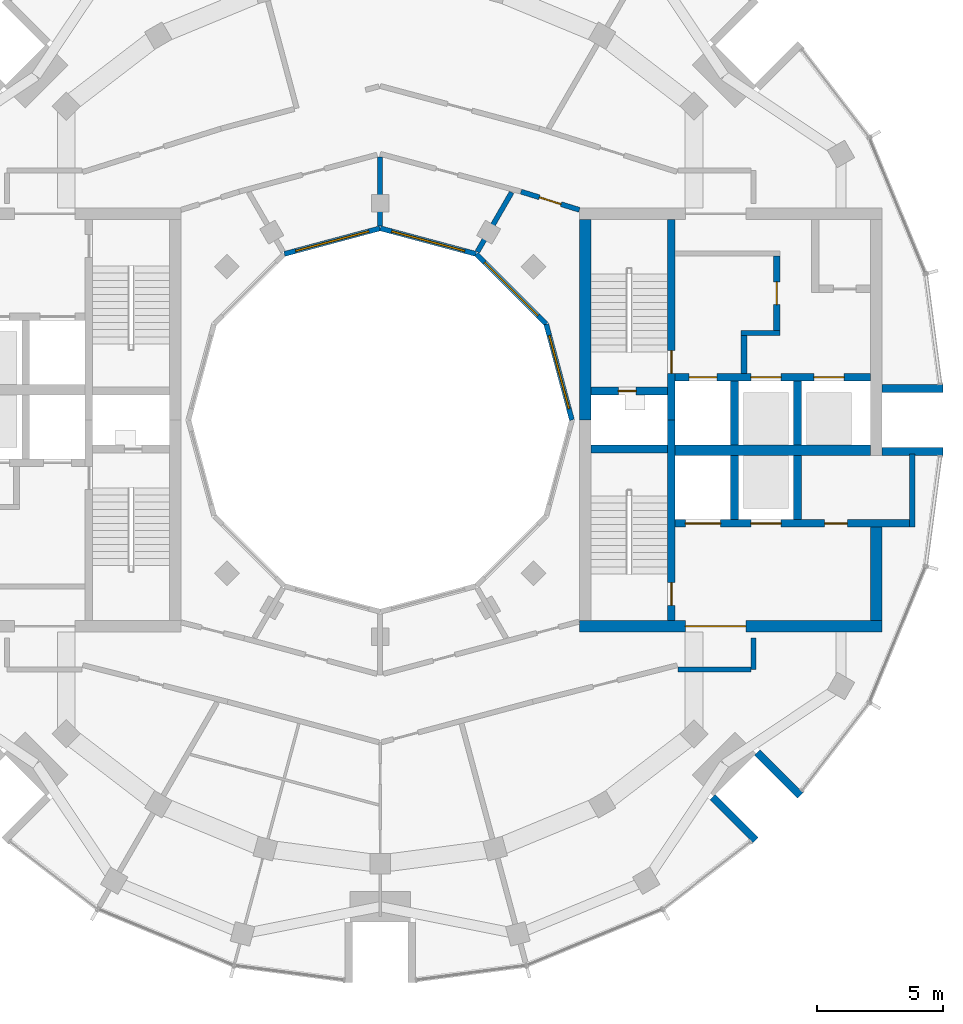
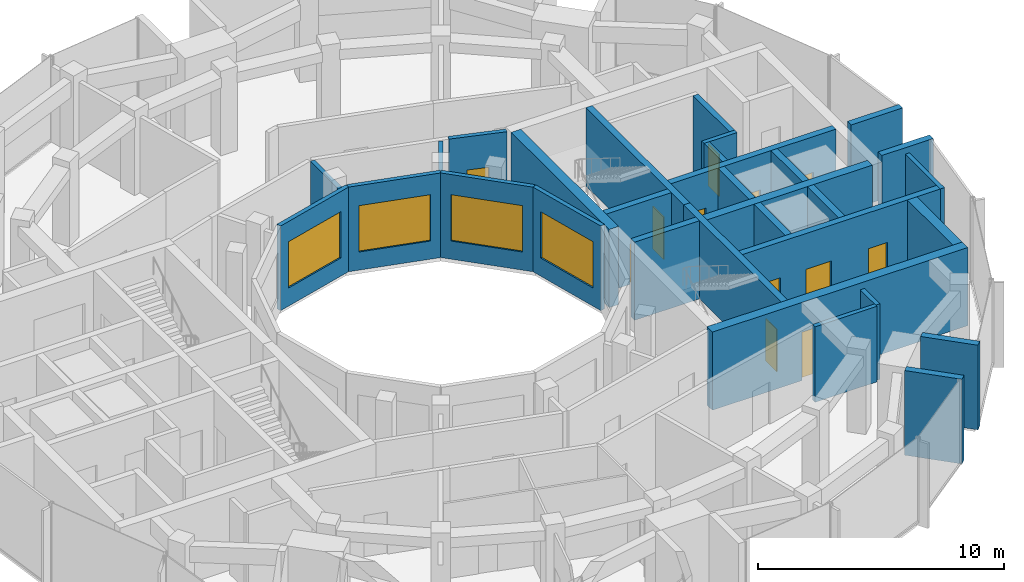
# One storey, part 10 of 13: 31 walls, 12 doors, 4 windows, 16 openings.
"""IFC4 building model written with IfcOpenShell, lengths in metres."""

from ifc_helpers import new_model, si_unit, direction, frame, frame_2d, origin, place, context, subcontext, project, spatial, rectangle, extrude, material, layer, layer_set, type_object, element, fill, save


model = new_model("IFC4")

# Units and contexts
model_context = context("Model", 3, precision=1e-05, world=origin(), true_north=direction((0.0, 1.0)))
body_context = subcontext(model_context, "Body", "Model", "MODEL_VIEW")
ifc_project = project(units=[si_unit("LENGTHUNIT", "METRE"), si_unit("AREAUNIT", "SQUARE_METRE"), si_unit("VOLUMEUNIT", "CUBIC_METRE"), si_unit("PLANEANGLEUNIT", "RADIAN"), si_unit("MASSUNIT", "GRAM", prefix="KILO")], contexts=[model_context])

# Site, building, storey
site_placement = place(None, origin())
site = spatial("IfcSite", under=ifc_project, at=site_placement, CompositionType="ELEMENT")
building_placement = place(site_placement, origin())
building = spatial("IfcBuilding", under=site, at=building_placement, Name="Torre Brocal", CompositionType="ELEMENT")
storey_placement = place(building_placement, frame((0.0, 0.0, 300.89990234375)))
storey = spatial("IfcBuildingStorey", under=building, at=storey_placement, Name="L69", CompositionType="ELEMENT", Elevation=300.89990234375)

# Walls
ifc_material_1 = material(Name="Masonry block", Category="masonry")
ifc_layer_1 = layer(ifc_material_1, 0.199951171875)
ifc_layer_set_1 = layer_set([ifc_layer_1], Name="Masonry block")
wall_type_1 = type_object("IfcWallType", Name="CORE PARTITION 200", PredefinedType="PARTITIONING", material=ifc_layer_set_1)
wall_1_placement = place(storey_placement, frame((101.10009765625, 70.75, 0.0), z_axis=(0.0, 0.0, 1.0), x_axis=(0.0, 1.0, 0.0)))
element("IfcWall", 1, at=wall_1_placement, inside=storey, type_object=wall_type_1, Name="Wall CP200", PredefinedType="PARTITIONING", context=body_context, shape_type="SweptSolid", body=[
    extrude(rectangle(XDim=2.89990234375, YDim=0.199951171875, at=frame_2d((1.449951171875, 0.0))), origin(), (0.0, 0.0, 1.0), 3.880126953125),
])
ifc_material_2 = material(Name="Concrete C50", Category="concrete")
ifc_layer_2 = layer(ifc_material_2, 0.199951171875)
ifc_layer_set_2 = layer_set([ifc_layer_2], Name="Concrete C50")
wall_type_2 = type_object("IfcWallType", Name="CORE WALL 200 C50", PredefinedType="SHEAR", material=ifc_layer_set_2)
wall_2_placement = place(storey_placement, frame((94.300048828125, 78.449951171875, 0.0), z_axis=(0.0, 0.0, 1.0), x_axis=(1.0, 0.0, 0.0)))
element("IfcWall", 2, at=wall_2_placement, inside=storey, type_object=wall_type_2, Name="Wall CW200-50", PredefinedType="SHEAR", context=body_context, shape_type="SweptSolid", body=[
    extrude(rectangle(XDim=1.550048828125, YDim=0.199951171875, at=frame_2d((0.77490234375, 0.0))), origin(), (0.0, 0.0, 1.0), 3.880126953125),
])

# Wall, opening, door
ifc_material_3 = material(Name="Concrete C50", Category="concrete")
ifc_layer_3 = layer(ifc_material_3, 0.25)
ifc_layer_set_3 = layer_set([ifc_layer_3], Name="Concrete C50")
wall_type_3 = type_object("IfcWallType", Name="CORE WALL 250 C50", PredefinedType="SHEAR", material=ifc_layer_set_3)
wall_3_placement = place(storey_placement, frame((95.72509765625, 78.550048828125, 0.0), z_axis=(0.0, 0.0, 1.0), x_axis=(0.0, 1.0, 0.0)))
wall_3 = element("IfcWall", 3, at=wall_3_placement, inside=storey, type_object=wall_type_3, Name="Wall CW250-50", PredefinedType="SHEAR", context=body_context, shape_type="SweptSolid", body=[
    extrude(rectangle(XDim=2.949951171875, YDim=0.25, at=frame_2d((1.47509765625, 0.0))), origin(), (0.0, 0.0, 1.0), 3.880126953125),
])
opening_1_placement = place(wall_3_placement, frame((1.02490234375, 0.0, 0.0)))
opening_1 = element("IfcOpeningElement", 4, at=opening_1_placement, cuts=wall_3, Name="Opening E-D19", PredefinedType="OPENING", context=body_context, shape_type="SweptSolid", body=[
    extrude(rectangle(XDim=0.89990234375, YDim=2.10009765625, at=frame_2d((0.449951171875, 1.050048828125))), frame((0.0, 0.135009765625, 0.0), z_axis=(0.0, -1.0, 0.0), x_axis=(1.0, 0.0, 0.0)), (0.0, 0.0, 1.0), 0.27001953125),
])
ifc_material_4 = material(Name="Steel A653", Category="steel")
door_type_1 = type_object("IfcDoorType", Name="LOBBY DOOR FD120 900X2100", OperationType="SINGLE_SWING_RIGHT", PredefinedType="DOOR", material=ifc_material_4)
door_1_placement = place(opening_1_placement, origin())
door_1 = element("IfcDoor", 5, at=door_1_placement, inside=storey, type_object=door_type_1, Name="Door E-D19", OperationType="SINGLE_SWING_LEFT", OverallHeight=2.10009765625, OverallWidth=0.89990234375, PredefinedType="DOOR", context=body_context, shape_type="SweptSolid", body=[
    extrude(rectangle(XDim=0.89990234375, YDim=2.10009765625, at=frame_2d((0.449951171875, 1.050048828125))), frame((0.0, 0.02490234375, 0.0), z_axis=(0.0, -1.0, 0.0), x_axis=(1.0, 0.0, 0.0)), (0.0, 0.0, 1.0), 0.050048828125),
])
fill(opening_1, door_1)

# Wall
wall_4_placement = place(storey_placement, frame((94.425048828125, 76.85009765625, 0.0), z_axis=(0.0, 0.0, 1.0), x_axis=(0.0, 1.0, 0.0)))
element("IfcWall", 6, at=wall_4_placement, inside=storey, type_object=wall_type_3, Name="Wall CW250-50", PredefinedType="SHEAR", context=body_context, shape_type="SweptSolid", body=[
    extrude(rectangle(XDim=1.5, YDim=0.25, at=frame_2d((0.75, 0.0))), origin(), (0.0, 0.0, 1.0), 3.880126953125),
])

# Wall, opening, door
ifc_material_5 = material(Name="Concrete C50", Category="concrete")
ifc_layer_4 = layer(ifc_material_5, 0.300048828125)
ifc_layer_set_4 = layer_set([ifc_layer_4], Name="Concrete C50")
wall_type_4 = type_object("IfcWallType", Name="CORE WALL 300 C50", PredefinedType="SHEAR", material=ifc_layer_set_4)
wall_5_placement = place(storey_placement, frame((91.550048828125, 75.0, 0.0), z_axis=(0.0, 0.0, 1.0), x_axis=(0.0, 1.0, 0.0)))
wall_5 = element("IfcWall", 7, at=wall_5_placement, inside=storey, type_object=wall_type_4, Name="Wall CW300-50", PredefinedType="SHEAR", context=body_context, shape_type="SweptSolid", body=[
    extrude(rectangle(XDim=7.949951171875, YDim=0.300048828125, at=frame_2d((3.97509765625, 0.0))), origin(), (0.0, 0.0, 1.0), 3.880126953125),
])
opening_2_placement = place(wall_5_placement, frame((1.85009765625, 0.0, 0.0)))
opening_2 = element("IfcOpeningElement", 8, at=opening_2_placement, cuts=wall_5, Name="Opening E-D02", PredefinedType="OPENING", context=body_context, shape_type="SweptSolid", body=[
    extrude(rectangle(XDim=0.89990234375, YDim=2.10009765625, at=frame_2d((0.449951171875, 1.050048828125))), frame((0.0, 0.159912109375, 0.0), z_axis=(0.0, -1.0, 0.0), x_axis=(1.0, 0.0, 0.0)), (0.0, 0.0, 1.0), 0.320068359375),
])
ifc_material_6 = material(Name="Steel A653", Category="steel")
door_type_2 = type_object("IfcDoorType", Name="STAIR DOOR FD120 900X2100", OperationType="SINGLE_SWING_RIGHT", PredefinedType="DOOR", material=ifc_material_6)
door_2_placement = place(opening_2_placement, origin())
door_2 = element("IfcDoor", 9, at=door_2_placement, inside=storey, type_object=door_type_2, Name="Door E-D02", OperationType="SINGLE_SWING_LEFT", OverallHeight=2.10009765625, OverallWidth=0.89990234375, PredefinedType="DOOR", context=body_context, shape_type="SweptSolid", body=[
    extrude(rectangle(XDim=0.89990234375, YDim=2.10009765625, at=frame_2d((0.449951171875, 1.050048828125))), frame((0.0, 0.02490234375, 0.0), z_axis=(0.0, -1.0, 0.0), x_axis=(1.0, 0.0, 0.0)), (0.0, 0.0, 1.0), 0.050048828125),
])
fill(opening_2, door_2)

wall_6_placement = place(storey_placement, frame((91.550048828125, 67.050048828125, 0.0), z_axis=(0.0, 0.0, 1.0), x_axis=(0.0, 1.0, 0.0)))
wall_6 = element("IfcWall", 10, at=wall_6_placement, inside=storey, type_object=wall_type_4, Name="Wall CW300-50", PredefinedType="SHEAR", context=body_context, shape_type="SweptSolid", body=[
    extrude(rectangle(XDim=7.949951171875, YDim=0.300048828125, at=frame_2d((3.97509765625, 0.0))), origin(), (0.0, 0.0, 1.0), 3.880126953125),
])
opening_3_placement = place(wall_6_placement, frame((0.60009765625, 0.0, 0.0)))
opening_3 = element("IfcOpeningElement", 11, at=opening_3_placement, cuts=wall_6, Name="Opening E-D03", PredefinedType="OPENING", context=body_context, shape_type="SweptSolid", body=[
    extrude(rectangle(XDim=0.89990234375, YDim=2.10009765625, at=frame_2d((0.449951171875, 1.050048828125))), frame((0.0, 0.159912109375, 0.0), z_axis=(0.0, -1.0, 0.0), x_axis=(1.0, 0.0, 0.0)), (0.0, 0.0, 1.0), 0.320068359375),
])
door_3_placement = place(opening_3_placement, origin())
door_3 = element("IfcDoor", 12, at=door_3_placement, inside=storey, type_object=door_type_2, Name="Door E-D03", OperationType="SINGLE_SWING_LEFT", OverallHeight=2.10009765625, OverallWidth=0.89990234375, PredefinedType="DOOR", context=body_context, shape_type="SweptSolid", body=[
    extrude(rectangle(XDim=0.89990234375, YDim=2.10009765625, at=frame_2d((0.449951171875, 1.050048828125))), frame((0.0, 0.02490234375, 0.0), z_axis=(0.0, -1.0, 0.0), x_axis=(1.0, 0.0, 0.0)), (0.0, 0.0, 1.0), 0.050048828125),
])
fill(opening_3, door_3)

wall_7_placement = place(storey_placement, frame((88.35009765625, 76.14990234375, 0.0), z_axis=(0.0, 0.0, 1.0), x_axis=(1.0, 0.0, 0.0)))
wall_7 = element("IfcWall", 13, at=wall_7_placement, inside=storey, type_object=wall_type_4, Name="Wall CW300-50", PredefinedType="SHEAR", context=body_context, shape_type="SweptSolid", body=[
    extrude(rectangle(XDim=3.0498046875, YDim=0.300048828125, at=frame_2d((1.52490234375, 0.0))), origin(), (0.0, 0.0, 1.0), 3.880126953125),
])
opening_4_placement = place(wall_7_placement, frame((1.10009765625, 0.0, 0.0)))
opening_4 = element("IfcOpeningElement", 14, at=opening_4_placement, cuts=wall_7, Name="Opening E-D01", PredefinedType="OPENING", context=body_context, shape_type="SweptSolid", body=[
    extrude(rectangle(XDim=0.699951171875, YDim=2.0, at=frame_2d((0.35009765625, 1.0))), frame((0.0, 0.159912109375, 0.0), z_axis=(0.0, -1.0, 0.0), x_axis=(1.0, 0.0, 0.0)), (0.0, 0.0, 1.0), 0.320068359375),
])
ifc_material_7 = material(Name="Steel A653", Category="steel")
door_type_3 = type_object("IfcDoorType", Name="RISER DOOR FD120 700X2000", OperationType="SINGLE_SWING_LEFT", PredefinedType="DOOR", material=ifc_material_7)
door_4_placement = place(opening_4_placement, frame((0.699951171875, 0.0, 0.0), z_axis=(0.0, 0.0, 1.0), x_axis=(-1.0, 0.0, 0.0)))
door_4 = element("IfcDoor", 15, at=door_4_placement, inside=storey, type_object=door_type_3, Name="Door E-D01", OperationType="SINGLE_SWING_RIGHT", OverallHeight=2.0, OverallWidth=0.699951171875, PredefinedType="DOOR", context=body_context, shape_type="SweptSolid", body=[
    extrude(rectangle(XDim=0.699951171875, YDim=2.0, at=frame_2d((0.35009765625, 1.0))), frame((0.0, 0.02490234375, 0.0), z_axis=(0.0, -1.0, 0.0), x_axis=(1.0, 0.0, 0.0)), (0.0, 0.0, 1.0), 0.050048828125),
])
fill(opening_4, door_4)

# Wall
wall_8_placement = place(storey_placement, frame((88.35009765625, 73.85009765625, 0.0), z_axis=(0.0, 0.0, 1.0), x_axis=(1.0, 0.0, 0.0)))
element("IfcWall", 16, at=wall_8_placement, inside=storey, type_object=wall_type_4, Name="Wall CW300-50", PredefinedType="SHEAR", context=body_context, shape_type="SweptSolid", body=[
    extrude(rectangle(XDim=3.0498046875, YDim=0.300048828125, at=frame_2d((1.52490234375, 0.0))), origin(), (0.0, 0.0, 1.0), 3.880126953125),
])

# Wall, openings, doors
wall_9_placement = place(storey_placement, frame((91.699951171875, 76.699951171875, 0.0), z_axis=(0.0, 0.0, 1.0), x_axis=(1.0, 0.0, 0.0)))
wall_9 = element("IfcWall", 17, at=wall_9_placement, inside=storey, type_object=wall_type_4, Name="Wall CW300-50", PredefinedType="SHEAR", context=body_context, shape_type="SweptSolid", body=[
    extrude(rectangle(XDim=7.75, YDim=0.300048828125, at=frame_2d((3.875, 0.0))), origin(), (0.0, 0.0, 1.0), 3.880126953125),
])
opening_5_placement = place(wall_9_placement, frame((0.550048828125, 0.0, 0.0)))
opening_5 = element("IfcOpeningElement", 18, at=opening_5_placement, cuts=wall_9, Name="Opening LD", PredefinedType="OPENING", context=body_context, shape_type="SweptSolid", body=[
    extrude(rectangle(XDim=1.10009765625, YDim=2.10009765625, at=frame_2d((0.550048828125, 1.050048828125))), frame((0.0, 0.159912109375, 0.0), z_axis=(0.0, -1.0, 0.0), x_axis=(1.0, 0.0, 0.0)), (0.0, 0.0, 1.0), 0.320068359375),
])
opening_6_placement = place(wall_9_placement, frame((3.0, 0.0, 0.0)))
opening_6 = element("IfcOpeningElement", 19, at=opening_6_placement, cuts=wall_9, Name="Opening LD12", PredefinedType="OPENING", context=body_context, shape_type="SweptSolid", body=[
    extrude(rectangle(XDim=1.199951171875, YDim=2.10009765625, at=frame_2d((0.60009765625, 1.050048828125))), frame((0.0, 0.159912109375, 0.0), z_axis=(0.0, -1.0, 0.0), x_axis=(1.0, 0.0, 0.0)), (0.0, 0.0, 1.0), 0.320068359375),
])
opening_7_placement = place(wall_9_placement, frame((5.5, 0.0, 0.0)))
opening_7 = element("IfcOpeningElement", 20, at=opening_7_placement, cuts=wall_9, Name="Opening LD12", PredefinedType="OPENING", context=body_context, shape_type="SweptSolid", body=[
    extrude(rectangle(XDim=1.199951171875, YDim=2.10009765625, at=frame_2d((0.60009765625, 1.050048828125))), frame((0.0, 0.159912109375, 0.0), z_axis=(0.0, -1.0, 0.0), x_axis=(1.0, 0.0, 0.0)), (0.0, 0.0, 1.0), 0.320068359375),
])
ifc_material_8 = material(Name="Stainless steel AISI 316", Category="steel")
door_type_4 = type_object("IfcDoorType", Name="LIFT LANDING DOOR 1100X2100", OperationType="DOUBLE_DOOR_SLIDING", PredefinedType="DOOR", material=ifc_material_8)
door_5_placement = place(opening_5_placement, origin())
door_5 = element("IfcDoor", 21, at=door_5_placement, inside=storey, type_object=door_type_4, Name="Door LD", OperationType="DOUBLE_DOOR_SLIDING", OverallHeight=2.10009765625, OverallWidth=1.10009765625, PredefinedType="DOOR", context=body_context, shape_type="SweptSolid", body=[
    extrude(rectangle(XDim=1.10009765625, YDim=2.10009765625, at=frame_2d((0.550048828125, 1.050048828125))), frame((0.0, 0.02490234375, 0.0), z_axis=(0.0, -1.0, 0.0), x_axis=(1.0, 0.0, 0.0)), (0.0, 0.0, 1.0), 0.050048828125),
])
fill(opening_5, door_5)
ifc_material_9 = material(Name="Stainless steel AISI 316", Category="steel")
door_type_5 = type_object("IfcDoorType", Name="LIFT LANDING DOOR 1200X2100", OperationType="DOUBLE_DOOR_SLIDING", PredefinedType="DOOR", material=ifc_material_9)
door_6_placement = place(opening_6_placement, origin())
door_6 = element("IfcDoor", 22, at=door_6_placement, inside=storey, type_object=door_type_5, Name="Door LD12", OperationType="DOUBLE_DOOR_SLIDING", OverallHeight=2.10009765625, OverallWidth=1.199951171875, PredefinedType="DOOR", context=body_context, shape_type="SweptSolid", body=[
    extrude(rectangle(XDim=1.199951171875, YDim=2.10009765625, at=frame_2d((0.60009765625, 1.050048828125))), frame((0.0, 0.02490234375, 0.0), z_axis=(0.0, -1.0, 0.0), x_axis=(1.0, 0.0, 0.0)), (0.0, 0.0, 1.0), 0.050048828125),
])
fill(opening_6, door_6)
door_7_placement = place(opening_7_placement, origin())
door_7 = element("IfcDoor", 23, at=door_7_placement, inside=storey, type_object=door_type_5, Name="Door LD12", OperationType="DOUBLE_DOOR_SLIDING", OverallHeight=2.10009765625, OverallWidth=1.199951171875, PredefinedType="DOOR", context=body_context, shape_type="SweptSolid", body=[
    extrude(rectangle(XDim=1.199951171875, YDim=2.10009765625, at=frame_2d((0.60009765625, 1.050048828125))), frame((0.0, 0.02490234375, 0.0), z_axis=(0.0, -1.0, 0.0), x_axis=(1.0, 0.0, 0.0)), (0.0, 0.0, 1.0), 0.050048828125),
])
fill(opening_7, door_7)

wall_10_placement = place(storey_placement, frame((91.699951171875, 70.89990234375, 0.0), z_axis=(0.0, 0.0, 1.0), x_axis=(1.0, 0.0, 0.0)))
wall_10 = element("IfcWall", 24, at=wall_10_placement, inside=storey, type_object=wall_type_4, Name="Wall CW300-50", PredefinedType="SHEAR", context=body_context, shape_type="SweptSolid", body=[
    extrude(rectangle(XDim=9.300048828125, YDim=0.300048828125, at=frame_2d((4.64990234375, 0.0))), origin(), (0.0, 0.0, 1.0), 3.880126953125),
])
opening_8_placement = place(wall_10_placement, frame((0.39990234375, 0.0, 0.0)))
opening_8 = element("IfcOpeningElement", 25, at=opening_8_placement, cuts=wall_10, Name="Opening LD14", PredefinedType="OPENING", context=body_context, shape_type="SweptSolid", body=[
    extrude(rectangle(XDim=1.39990234375, YDim=2.10009765625, at=frame_2d((0.699951171875, 1.050048828125))), frame((0.0, 0.159912109375, 0.0), z_axis=(0.0, -1.0, 0.0), x_axis=(1.0, 0.0, 0.0)), (0.0, 0.0, 1.0), 0.320068359375),
])
opening_9_placement = place(wall_10_placement, frame((3.0, 0.0, 0.0)))
opening_9 = element("IfcOpeningElement", 26, at=opening_9_placement, cuts=wall_10, Name="Opening LD12", PredefinedType="OPENING", context=body_context, shape_type="SweptSolid", body=[
    extrude(rectangle(XDim=1.199951171875, YDim=2.10009765625, at=frame_2d((0.60009765625, 1.050048828125))), frame((0.0, 0.159912109375, 0.0), z_axis=(0.0, -1.0, 0.0), x_axis=(1.0, 0.0, 0.0)), (0.0, 0.0, 1.0), 0.320068359375),
])
opening_10_placement = place(wall_10_placement, frame((5.925048828125, 0.0, 0.0)))
opening_10 = element("IfcOpeningElement", 27, at=opening_10_placement, cuts=wall_10, Name="Opening E-D04", PredefinedType="OPENING", context=body_context, shape_type="SweptSolid", body=[
    extrude(rectangle(XDim=0.89990234375, YDim=2.10009765625, at=frame_2d((0.449951171875, 1.050048828125))), frame((0.0, 0.159912109375, 0.0), z_axis=(0.0, -1.0, 0.0), x_axis=(1.0, 0.0, 0.0)), (0.0, 0.0, 1.0), 0.320068359375),
])
door_8_placement = place(opening_9_placement, origin())
door_8 = element("IfcDoor", 28, at=door_8_placement, inside=storey, type_object=door_type_5, Name="Door LD12", OperationType="DOUBLE_DOOR_SLIDING", OverallHeight=2.10009765625, OverallWidth=1.199951171875, PredefinedType="DOOR", context=body_context, shape_type="SweptSolid", body=[
    extrude(rectangle(XDim=1.199951171875, YDim=2.10009765625, at=frame_2d((0.60009765625, 1.050048828125))), frame((0.0, 0.02490234375, 0.0), z_axis=(0.0, -1.0, 0.0), x_axis=(1.0, 0.0, 0.0)), (0.0, 0.0, 1.0), 0.050048828125),
])
fill(opening_9, door_8)
ifc_material_10 = material(Name="Stainless steel AISI 316", Category="steel")
door_type_6 = type_object("IfcDoorType", Name="LIFT LANDING DOOR 1400X2100", OperationType="DOUBLE_DOOR_SLIDING", PredefinedType="DOOR", material=ifc_material_10)
door_9_placement = place(opening_8_placement, origin())
door_9 = element("IfcDoor", 29, at=door_9_placement, inside=storey, type_object=door_type_6, Name="Door LD14", OperationType="DOUBLE_DOOR_SLIDING", OverallHeight=2.10009765625, OverallWidth=1.39990234375, PredefinedType="DOOR", context=body_context, shape_type="SweptSolid", body=[
    extrude(rectangle(XDim=1.39990234375, YDim=2.10009765625, at=frame_2d((0.699951171875, 1.050048828125))), frame((0.0, 0.02490234375, 0.0), z_axis=(0.0, -1.0, 0.0), x_axis=(1.0, 0.0, 0.0)), (0.0, 0.0, 1.0), 0.050048828125),
])
fill(opening_8, door_9)
ifc_material_11 = material(Name="Steel A653", Category="steel")
door_type_7 = type_object("IfcDoorType", Name="ROOM DOOR FD30S 900X2100", OperationType="SINGLE_SWING_LEFT", PredefinedType="DOOR", material=ifc_material_11)
door_10_placement = place(opening_10_placement, origin())
door_10 = element("IfcDoor", 30, at=door_10_placement, inside=storey, type_object=door_type_7, Name="Door E-D04", OperationType="SINGLE_SWING_LEFT", OverallHeight=2.10009765625, OverallWidth=0.89990234375, PredefinedType="DOOR", context=body_context, shape_type="SweptSolid", body=[
    extrude(rectangle(XDim=0.89990234375, YDim=2.10009765625, at=frame_2d((0.449951171875, 1.050048828125))), frame((0.0, 0.02490234375, 0.0), z_axis=(0.0, -1.0, 0.0), x_axis=(1.0, 0.0, 0.0)), (0.0, 0.0, 1.0), 0.050048828125),
])
fill(opening_10, door_10)

# Walls
for number, where, z_axis, x_axis, name in (
    (31, (94.050048828125, 74.0, 0.0), (0.0, 0.0, 1.0), (0.0, 1.0, 0.0), "Wall CW300-50"),
    (32, (96.550048828125, 74.0, 0.0), (0.0, 0.0, 1.0), (0.0, 1.0, 0.0), "Wall CW300-50"),
    (33, (94.050048828125, 71.050048828125, 0.0), (0.0, 0.0, 1.0), (0.0, 1.0, 0.0), "Wall CW300-50"),
    (34, (96.550048828125, 71.050048828125, 0.0), (0.0, 0.0, 1.0), (0.0, 1.0, 0.0), "Wall CW300-50"),
):
    element("IfcWall", number, at=place(storey_placement, frame(where, z_axis=z_axis, x_axis=x_axis)), inside=storey, type_object=wall_type_4, Name=name, PredefinedType="SHEAR", context=body_context, shape_type="SweptSolid", body=[
        extrude(rectangle(XDim=2.550048828125, YDim=0.300048828125, at=frame_2d((1.27490234375, 0.0))), origin(), (0.0, 0.0, 1.0), 3.880126953125),
    ])
ifc_material_12 = material(Name="Concrete C50", Category="concrete")
ifc_layer_5 = layer(ifc_material_12, 0.39990234375)
ifc_layer_set_5 = layer_set([ifc_layer_5], Name="Concrete C50")
wall_type_5 = type_object("IfcWallType", Name="CORE WALL 400 C50", PredefinedType="SHEAR", material=ifc_layer_set_5)
wall_11_placement = place(storey_placement, frame((91.699951171875, 73.800048828125, 0.0), z_axis=(0.0, 0.0, 1.0), x_axis=(1.0, 0.0, 0.0)))
element("IfcWall", 35, at=wall_11_placement, inside=storey, type_object=wall_type_5, Name="Wall CW400-50", PredefinedType="SHEAR", context=body_context, shape_type="SweptSolid", body=[
    extrude(rectangle(XDim=7.75, YDim=0.39990234375, at=frame_2d((3.875, 0.0))), origin(), (0.0, 0.0, 1.0), 3.880126953125),
])

# Wall, opening, door
ifc_material_13 = material(Name="Concrete C50", Category="concrete")
ifc_layer_6 = layer(ifc_material_13, 0.449951171875)
ifc_layer_set_6 = layer_set([ifc_layer_6], Name="Concrete C50")
wall_type_6 = type_object("IfcWallType", Name="CORE WALL 450 C50", PredefinedType="SHEAR", material=ifc_layer_set_6)
wall_12_placement = place(storey_placement, frame((87.89990234375, 66.824951171875, 0.0), z_axis=(0.0, 0.0, 1.0), x_axis=(1.0, 0.0, 0.0)))
wall_12 = element("IfcWall", 36, at=wall_12_placement, inside=storey, type_object=wall_type_6, Name="Wall CW450-50", PredefinedType="SHEAR", context=body_context, shape_type="SweptSolid", body=[
    extrude(rectangle(XDim=12.0, YDim=0.449951171875, at=frame_2d((6.0, 0.0))), origin(), (0.0, 0.0, 1.0), 3.880126953125),
])
opening_11_placement = place(wall_12_placement, frame((4.199951171875, 0.0, 0.0)))
opening_11 = element("IfcOpeningElement", 37, at=opening_11_placement, cuts=wall_12, Name="Opening E-D27", PredefinedType="OPENING", context=body_context, shape_type="SweptSolid", body=[
    extrude(rectangle(XDim=2.39990234375, YDim=2.39990234375, at=frame_2d((1.199951171875, 1.199951171875))), frame((0.0, 0.23486328125, 0.0), z_axis=(0.0, -1.0, 0.0), x_axis=(1.0, 0.0, 0.0)), (0.0, 0.0, 1.0), 0.469970703125),
])
ifc_material_14 = material(Name="Steel A653", Category="steel")
door_type_8 = type_object("IfcDoorType", Name="DOUBLE FIRE DOOR FD90 2400X2400", OperationType="DOUBLE_DOOR_SINGLE_SWING", PredefinedType="DOOR", material=ifc_material_14)
door_11_placement = place(opening_11_placement, origin())
door_11 = element("IfcDoor", 38, at=door_11_placement, inside=storey, type_object=door_type_8, Name="Door E-D27", OperationType="DOUBLE_DOOR_SINGLE_SWING", OverallHeight=2.39990234375, OverallWidth=2.39990234375, PredefinedType="DOOR", context=body_context, shape_type="SweptSolid", body=[
    extrude(rectangle(XDim=2.39990234375, YDim=2.39990234375, at=frame_2d((1.199951171875, 1.199951171875))), frame((0.0, 0.02490234375, 0.0), z_axis=(0.0, -1.0, 0.0), x_axis=(1.0, 0.0, 0.0)), (0.0, 0.0, 1.0), 0.050048828125),
])
fill(opening_11, door_11)

# Walls
wall_13_placement = place(storey_placement, frame((88.125, 75.0, 0.0), z_axis=(0.0, 0.0, 1.0), x_axis=(0.0, 1.0, 0.0)))
element("IfcWall", 39, at=wall_13_placement, inside=storey, type_object=wall_type_6, Name="Wall CW450-50", PredefinedType="SHEAR", context=body_context, shape_type="SweptSolid", body=[
    extrude(rectangle(XDim=7.949951171875, YDim=0.449951171875, at=frame_2d((3.97509765625, 0.0))), origin(), (0.0, 0.0, 1.0), 3.880126953125),
])
wall_14_placement = place(storey_placement, frame((99.675048828125, 67.050048828125, 0.0), z_axis=(0.0, 0.0, 1.0), x_axis=(0.0, 1.0, 0.0)))
element("IfcWall", 40, at=wall_14_placement, inside=storey, type_object=wall_type_6, Name="Wall CW450-50", PredefinedType="SHEAR", context=body_context, shape_type="SweptSolid", body=[
    extrude(rectangle(XDim=3.699951171875, YDim=0.449951171875, at=frame_2d((1.85009765625, 0.0))), origin(), (0.0, 0.0, 1.0), 3.880126953125),
])
ifc_material_15 = material(Name="Concrete C50", Category="concrete")
ifc_layer_7 = layer(ifc_material_15, 0.300048828125)
ifc_layer_set_7 = layer_set([ifc_layer_7], Name="Concrete C50")
wall_type_7 = type_object("IfcWallType", Name="NOTCH RETURN WALL 300 C50", PredefinedType="NOTDEFINED", material=ifc_layer_set_7)
for number, where, z_axis, x_axis, name in (
    (41, (99.89990234375, 73.75, 0.0), (0.0, 0.0, 1.0), (1.0, 0.0, 0.0), "NOTCH RETURN WALL"),
    (42, (99.89990234375, 76.25, 0.0), (0.0, 0.0, 1.0), (1.0, 0.0, 0.0), "NOTCH RETURN WALL"),
    (43, (93.1875, 60.044677734375, 0.0), (0.0, 0.0, 1.0), (0.707106781187, -0.707106781187, 0.0), "NOTCH RETURN WALL"),
    (44, (94.955322265625, 61.8125, 0.0), (0.0, 0.0, 1.0), (0.707106781187, -0.707106781187, 0.0), "NOTCH RETURN WALL"),
):
    element("IfcWall", number, at=place(storey_placement, frame(where, z_axis=z_axis, x_axis=x_axis)), inside=storey, type_object=wall_type_7, Name=name, PredefinedType="NOTDEFINED", context=body_context, shape_type="SweptSolid", body=[
        extrude(rectangle(XDim=2.415771484375, YDim=0.300048828125, at=frame_2d((1.2080078125, 0.0))), origin(), (0.0, 0.0, 1.0), 4.2001953125),
    ])
ifc_material_16 = material(Name="Gypsum board", Category="Gypsum")
ifc_layer_8 = layer(ifc_material_16, 0.199951171875)
ifc_layer_set_8 = layer_set([ifc_layer_8], Name="Gypsum board")
wall_type_8 = type_object("IfcWallType", Name="PARTITION 200 EI60", PredefinedType="PARTITIONING", material=ifc_layer_set_8)
wall_15_placement = place(storey_placement, frame((80.0, 82.698974609375, 0.0), z_axis=(0.0, 0.0, 1.0), x_axis=(0.0, 1.0, 0.0)))
element("IfcWall", 45, at=wall_15_placement, inside=storey, type_object=wall_type_8, Name="SERVICE ROOM WALL", PredefinedType="PARTITIONING", context=body_context, shape_type="SweptSolid", body=[
    extrude(rectangle(XDim=2.72509765625, YDim=0.199951171875, at=frame_2d((1.362548828125, 0.0))), origin(), (0.0, 0.0, 1.0), 3.75),
])
wall_16_placement = place(storey_placement, frame((83.8505859375, 81.666015625, 0.0), z_axis=(0.0, 0.0, 1.0), x_axis=(0.500146274735, 0.865940935554, 0.0)))
element("IfcWall", 46, at=wall_16_placement, inside=storey, type_object=wall_type_8, Name="SERVICE ROOM WALL", PredefinedType="PARTITIONING", context=body_context, shape_type="SweptSolid", body=[
    extrude(rectangle(XDim=2.725830078125, YDim=0.199951171875, at=frame_2d((1.36279296875, 0.0))), origin(), (0.0, 0.0, 1.0), 3.75),
])

# Wall, opening, door
wall_17_placement = place(storey_placement, frame((85.5869140625, 84.056884765625, 0.0), z_axis=(0.0, 0.0, 1.0), x_axis=(0.954239513179, -0.299043393987, 0.0)))
wall_17 = element("IfcWall", 47, at=wall_17_placement, inside=storey, type_object=wall_type_8, Name="CORRIDOR WALL", PredefinedType="PARTITIONING", context=body_context, shape_type="SweptSolid", body=[
    extrude(rectangle(XDim=2.423828125, YDim=0.199951171875, at=frame_2d((1.2119140625, 0.0))), origin(), (0.0, 0.0, 1.0), 3.75),
])
opening_12_placement = place(wall_17_placement, frame((0.761962890625, 0.0, 0.0)))
opening_12 = element("IfcOpeningElement", 48, at=opening_12_placement, cuts=wall_17, Name="Opening N03-D04", PredefinedType="OPENING", context=body_context, shape_type="SweptSolid", body=[
    extrude(rectangle(XDim=0.89990234375, YDim=2.10009765625, at=frame_2d((0.449951171875, 1.050048828125))), frame((0.0, 0.10986328125, 0.0), z_axis=(0.0, -1.0, 0.0), x_axis=(1.0, 0.0, 0.0)), (0.0, 0.0, 1.0), 0.219970703125),
])
ifc_material_17 = material(Name="Timber", Category="wood")
door_type_9 = type_object("IfcDoorType", Name="ROOM DOOR 900X2100", OperationType="SINGLE_SWING_LEFT", PredefinedType="DOOR", material=ifc_material_17)
door_12_placement = place(opening_12_placement, frame((0.89990234375, 0.0, 0.0), z_axis=(0.0, 0.0, 1.0), x_axis=(-1.0, 0.0, 0.0)))
door_12 = element("IfcDoor", 49, at=door_12_placement, inside=storey, type_object=door_type_9, Name="N03-D04", OperationType="SINGLE_SWING_LEFT", OverallHeight=2.10009765625, OverallWidth=0.89990234375, PredefinedType="DOOR", context=body_context, shape_type="SweptSolid", body=[
    extrude(rectangle(XDim=0.89990234375, YDim=2.10009765625, at=frame_2d((0.449951171875, 1.050048828125))), frame((0.0, 0.02490234375, 0.0), z_axis=(0.0, -1.0, 0.0), x_axis=(1.0, 0.0, 0.0)), (0.0, 0.0, 1.0), 0.050048828125),
])
fill(opening_12, door_12)

# Walls
wall_18_placement = place(storey_placement, frame((91.800048828125, 65.10009765625, 0.0), z_axis=(0.0, 0.0, 1.0), x_axis=(1.0, 0.0, 0.0)))
element("IfcWall", 50, at=wall_18_placement, inside=storey, type_object=wall_type_8, Name="FLAT ENTRANCE WALL", PredefinedType="PARTITIONING", context=body_context, shape_type="SweptSolid", body=[
    extrude(rectangle(XDim=2.89990234375, YDim=0.199951171875, at=frame_2d((1.449951171875, 0.0))), origin(), (0.0, 0.0, 1.0), 3.75),
])
wall_19_placement = place(storey_placement, frame((94.800048828125, 65.10009765625, 0.0), z_axis=(0.0, 0.0, 1.0), x_axis=(0.0, 1.0, 0.0)))
element("IfcWall", 51, at=wall_19_placement, inside=storey, type_object=wall_type_8, Name="FLAT ENTRANCE WALL", PredefinedType="PARTITIONING", context=body_context, shape_type="SweptSolid", body=[
    extrude(rectangle(XDim=1.2490234375, YDim=0.199951171875, at=frame_2d((0.62451171875, 0.0))), origin(), (0.0, 0.0, 1.0), 3.75),
])

# Wall, opening, window
ifc_material_18 = material(Name="Concrete C40", Category="concrete")
ifc_layer_9 = layer(ifc_material_18, 0.199951171875)
ifc_layer_set_9 = layer_set([ifc_layer_9], Name="Concrete C40")
wall_type_9 = type_object("IfcWallType", Name="WELL FACADE WALL 200", PredefinedType="NOTDEFINED", material=ifc_layer_set_9)
wall_20_placement = place(storey_placement, frame((87.603515625, 75.0, 0.0), z_axis=(0.0, 0.0, 1.0), x_axis=(-0.258789828301, 0.965933654434, 0.0)))
wall_20 = element("IfcWall", 52, at=wall_20_placement, inside=storey, type_object=wall_type_9, Name="WELL FACADE WALL", PredefinedType="NOTDEFINED", context=body_context, shape_type="SweptSolid", body=[
    extrude(rectangle(XDim=3.935791015625, YDim=0.199951171875, at=frame_2d((1.9677734375, 0.0))), origin(), (0.0, 0.0, 1.0), 4.2001953125),
])
opening_13_placement = place(wall_20_placement, frame((0.468017578125, 0.0, 0.89990234375)))
opening_13 = element("IfcOpeningElement", 53, at=opening_13_placement, cuts=wall_20, Name="Opening W1", PredefinedType="OPENING", context=body_context, shape_type="SweptSolid", body=[
    extrude(rectangle(XDim=3.0, YDim=2.300048828125, at=frame_2d((1.5, 1.14990234375))), frame((0.0, 0.10986328125, 0.0), z_axis=(0.0, -1.0, 0.0), x_axis=(1.0, 0.0, 0.0)), (0.0, 0.0, 1.0), 0.219970703125),
])
ifc_material_19 = material(Name="Aluminium and glass", Category="aluminium")
window_type = type_object("IfcWindowType", Name="WELL WINDOW 3000X2300", PartitioningType="SINGLE_PANEL", PredefinedType="WINDOW", material=ifc_material_19)
window_1_placement = place(opening_13_placement, origin())
window_1 = element("IfcWindow", 54, at=window_1_placement, inside=storey, type_object=window_type, Name="WELL WINDOW 3000X2300", OverallHeight=2.300048828125, OverallWidth=3.0, PartitioningType="SINGLE_PANEL", PredefinedType="WINDOW", context=body_context, shape_type="SweptSolid", body=[
    extrude(rectangle(XDim=3.0, YDim=2.300048828125, at=frame_2d((1.5, 1.14990234375))), frame((0.0, 0.030029296875, 0.0), z_axis=(0.0, -1.0, 0.0), x_axis=(1.0, 0.0, 0.0)), (0.0, 0.0, 1.0), 0.06005859375),
])
fill(opening_13, window_1)

wall_21_placement = place(storey_placement, frame((86.5849609375, 78.8017578125, 0.0), z_axis=(0.0, 0.0, 1.0), x_axis=(-0.707106781187, 0.707106781187, 0.0)))
wall_21 = element("IfcWall", 55, at=wall_21_placement, inside=storey, type_object=wall_type_9, Name="WELL FACADE WALL", PredefinedType="NOTDEFINED", context=body_context, shape_type="SweptSolid", body=[
    extrude(rectangle(XDim=3.93603515625, YDim=0.199951171875, at=frame_2d((1.968017578125, 0.0))), origin(), (0.0, 0.0, 1.0), 4.2001953125),
])
opening_14_placement = place(wall_21_placement, frame((0.468017578125, 0.0, 0.89990234375)))
opening_14 = element("IfcOpeningElement", 56, at=opening_14_placement, cuts=wall_21, Name="Opening W1", PredefinedType="OPENING", context=body_context, shape_type="SweptSolid", body=[
    extrude(rectangle(XDim=3.0, YDim=2.300048828125, at=frame_2d((1.5, 1.14990234375))), frame((0.0, 0.10986328125, 0.0), z_axis=(0.0, -1.0, 0.0), x_axis=(1.0, 0.0, 0.0)), (0.0, 0.0, 1.0), 0.219970703125),
])
window_2_placement = place(opening_14_placement, origin())
window_2 = element("IfcWindow", 57, at=window_2_placement, inside=storey, type_object=window_type, Name="WELL WINDOW 3000X2300", OverallHeight=2.300048828125, OverallWidth=3.0, PartitioningType="SINGLE_PANEL", PredefinedType="WINDOW", context=body_context, shape_type="SweptSolid", body=[
    extrude(rectangle(XDim=3.0, YDim=2.300048828125, at=frame_2d((1.5, 1.14990234375))), frame((0.0, 0.030029296875, 0.0), z_axis=(0.0, -1.0, 0.0), x_axis=(1.0, 0.0, 0.0)), (0.0, 0.0, 1.0), 0.06005859375),
])
fill(opening_14, window_2)

wall_22_placement = place(storey_placement, frame((83.8017578125, 81.5849609375, 0.0), z_axis=(0.0, 0.0, 1.0), x_axis=(-0.965933654434, 0.258789828301, 0.0)))
wall_22 = element("IfcWall", 58, at=wall_22_placement, inside=storey, type_object=wall_type_9, Name="WELL FACADE WALL", PredefinedType="NOTDEFINED", context=body_context, shape_type="SweptSolid", body=[
    extrude(rectangle(XDim=3.935791015625, YDim=0.199951171875, at=frame_2d((1.9677734375, 0.0))), origin(), (0.0, 0.0, 1.0), 4.2001953125),
])
opening_15_placement = place(wall_22_placement, frame((0.468017578125, 0.0, 0.89990234375)))
opening_15 = element("IfcOpeningElement", 59, at=opening_15_placement, cuts=wall_22, Name="Opening W1", PredefinedType="OPENING", context=body_context, shape_type="SweptSolid", body=[
    extrude(rectangle(XDim=3.0, YDim=2.300048828125, at=frame_2d((1.5, 1.14990234375))), frame((0.0, 0.10986328125, 0.0), z_axis=(0.0, -1.0, 0.0), x_axis=(1.0, 0.0, 0.0)), (0.0, 0.0, 1.0), 0.219970703125),
])
window_3_placement = place(opening_15_placement, origin())
window_3 = element("IfcWindow", 60, at=window_3_placement, inside=storey, type_object=window_type, Name="WELL WINDOW 3000X2300", OverallHeight=2.300048828125, OverallWidth=3.0, PartitioningType="SINGLE_PANEL", PredefinedType="WINDOW", context=body_context, shape_type="SweptSolid", body=[
    extrude(rectangle(XDim=3.0, YDim=2.300048828125, at=frame_2d((1.5, 1.14990234375))), frame((0.0, 0.030029296875, 0.0), z_axis=(0.0, -1.0, 0.0), x_axis=(1.0, 0.0, 0.0)), (0.0, 0.0, 1.0), 0.06005859375),
])
fill(opening_15, window_3)

wall_23_placement = place(storey_placement, frame((80.0, 82.603515625, 0.0), z_axis=(0.0, 0.0, 1.0), x_axis=(-0.965933654434, -0.258789828301, 0.0)))
wall_23 = element("IfcWall", 61, at=wall_23_placement, inside=storey, type_object=wall_type_9, Name="WELL FACADE WALL", PredefinedType="NOTDEFINED", context=body_context, shape_type="SweptSolid", body=[
    extrude(rectangle(XDim=3.935791015625, YDim=0.199951171875, at=frame_2d((1.9677734375, 0.0))), origin(), (0.0, 0.0, 1.0), 4.2001953125),
])
opening_16_placement = place(wall_23_placement, frame((0.468017578125, 0.0, 0.89990234375)))
opening_16 = element("IfcOpeningElement", 62, at=opening_16_placement, cuts=wall_23, Name="Opening W1", PredefinedType="OPENING", context=body_context, shape_type="SweptSolid", body=[
    extrude(rectangle(XDim=3.0, YDim=2.300048828125, at=frame_2d((1.5, 1.14990234375))), frame((0.0, 0.10986328125, 0.0), z_axis=(0.0, -1.0, 0.0), x_axis=(1.0, 0.0, 0.0)), (0.0, 0.0, 1.0), 0.219970703125),
])
window_4_placement = place(opening_16_placement, origin())
window_4 = element("IfcWindow", 63, at=window_4_placement, inside=storey, type_object=window_type, Name="WELL WINDOW 3000X2300", OverallHeight=2.300048828125, OverallWidth=3.0, PartitioningType="SINGLE_PANEL", PredefinedType="WINDOW", context=body_context, shape_type="SweptSolid", body=[
    extrude(rectangle(XDim=3.0, YDim=2.300048828125, at=frame_2d((1.5, 1.14990234375))), frame((0.0, 0.030029296875, 0.0), z_axis=(0.0, -1.0, 0.0), x_axis=(1.0, 0.0, 0.0)), (0.0, 0.0, 1.0), 0.06005859375),
])
fill(opening_16, window_4)

save(model, "model.ifc")
